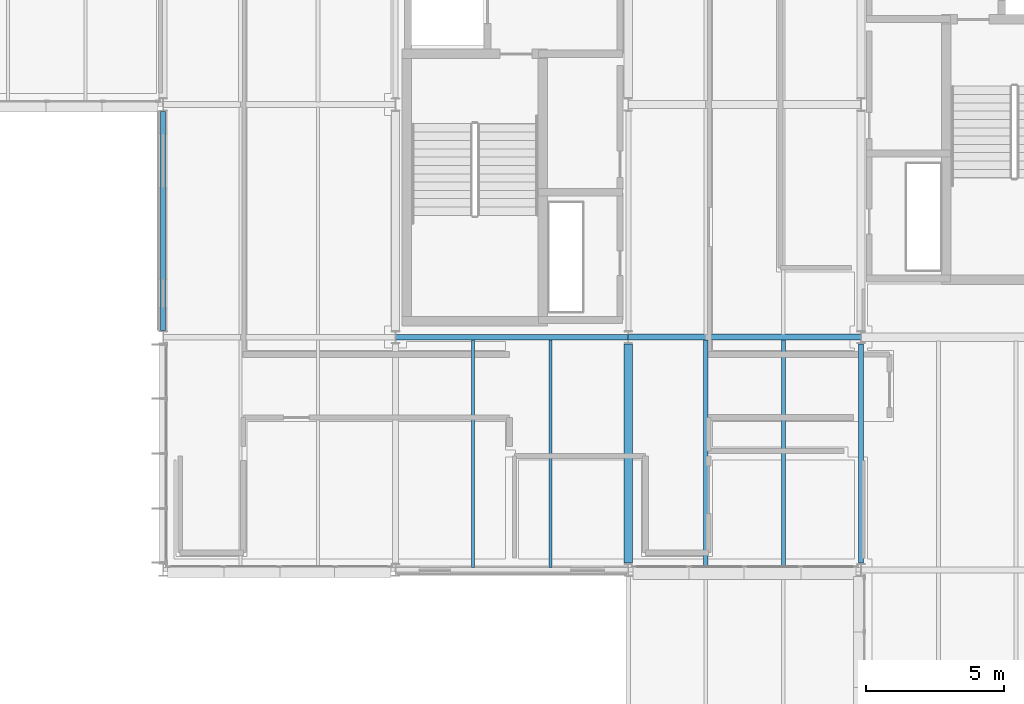
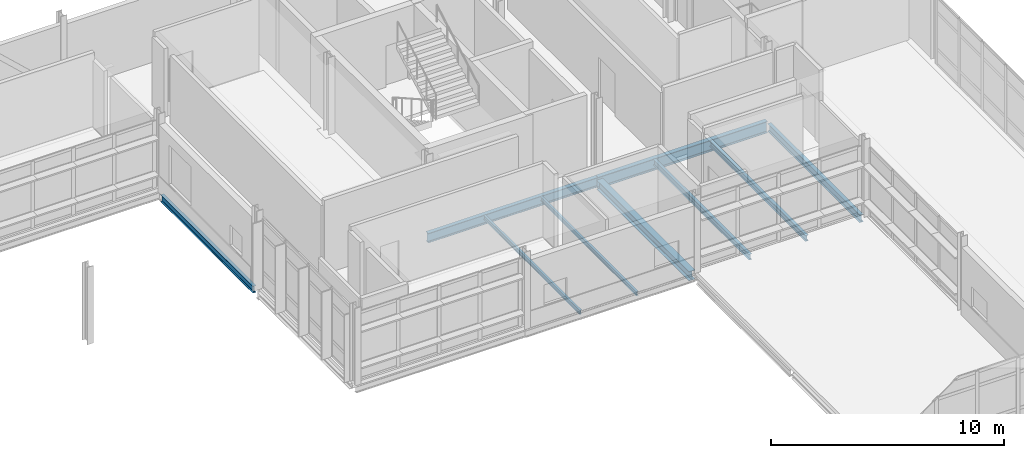
# One storey, part 69 of 103: 9 beams.
"""IFC4 building model written with IfcOpenShell, lengths in metres."""

from ifc_helpers import new_model, si_unit, direction, frame, origin, origin_2d, place, context, subcontext, project, spatial, i_section, extrude, material, material_profile, profile_set, type_object, element, save


model = new_model("IFC4")

# Units and contexts
model_context = context("Model", 3, precision=1e-05, world=origin(), true_north=direction((0.0, 1.0)))
body_context = subcontext(model_context, "Body", "Model", "MODEL_VIEW")
ifc_project = project(units=[si_unit("LENGTHUNIT", "METRE"), si_unit("AREAUNIT", "SQUARE_METRE"), si_unit("VOLUMEUNIT", "CUBIC_METRE"), si_unit("PLANEANGLEUNIT", "RADIAN"), si_unit("MASSUNIT", "GRAM", prefix="KILO")], contexts=[model_context])

# Site, building, storey
site_placement = place(None, origin())
site = spatial("IfcSite", under=ifc_project, at=site_placement, CompositionType="ELEMENT")
building_placement = place(site_placement, origin())
building = spatial("IfcBuilding", under=site, at=building_placement, Name="Mersafa Astral City Hall", CompositionType="ELEMENT")
storey_placement = place(building_placement, frame((0.0, 0.0, 18.0)))
storey = spatial("IfcBuildingStorey", under=building, at=storey_placement, Name="L04", CompositionType="ELEMENT", Elevation=18.0)

# Beams
ifc_material = material(Name="Steel S355", Category="steel")
ifc_material_profile_1 = material_profile(ifc_material, i_section(OverallWidth=0.300048828125, OverallDepth=0.489990234375, WebThickness=0.011962890625, FlangeThickness=0.02294921875, FilletRadius=0.027099609375, at=origin_2d()), Name="HEA 500")
ifc_profile_set_1 = profile_set([ifc_material_profile_1], Name="Steel S355")
beam_type_1 = type_object("IfcBeamType", Name="STR-BM-HEA500", PredefinedType="BEAM", material=ifc_profile_set_1)
beam_1_placement = place(storey_placement, frame((159.60009765625, 101.044921875, -0.429931640625), z_axis=(0.0, 1.0, 0.0), x_axis=(-1.0, 0.0, 0.0)))
element("IfcBeam", 1, at=beam_1_placement, inside=storey, type_object=beam_type_1, Name="L04 Primary girder Y 19-12", PredefinedType="BEAM", context=body_context, shape_type="SweptSolid", body=[
    extrude(i_section(OverallWidth=0.300048828125, OverallDepth=0.489990234375, WebThickness=0.011962890625, FlangeThickness=0.02294921875, FilletRadius=0.027099609375, at=origin_2d()), origin(), (0.0, 0.0, 1.0), 7.91015625),
])
ifc_material_profile_2 = material_profile(ifc_material, i_section(OverallWidth=0.179931640625, OverallDepth=0.39990234375, WebThickness=0.008544921875, FlangeThickness=0.013427734375, FilletRadius=0.02099609375, at=origin_2d()), Name="IPE 400")
ifc_profile_set_2 = profile_set([ifc_material_profile_2], Name="Steel S355")
beam_type_2 = type_object("IfcBeamType", Name="STR-BM-IPE400", PredefinedType="BEAM", material=ifc_profile_set_2)
beam_2_placement = place(storey_placement, frame((168.0, 101.044921875, -0.385009765625), z_axis=(0.0, 1.0, 0.0), x_axis=(-1.0, 0.0, 0.0)))
element("IfcBeam", 2, at=beam_2_placement, inside=storey, type_object=beam_type_2, Name="L04 Primary girder Y 20-12", PredefinedType="BEAM", context=body_context, shape_type="SweptSolid", body=[
    extrude(i_section(OverallWidth=0.179931640625, OverallDepth=0.39990234375, WebThickness=0.008544921875, FlangeThickness=0.013427734375, FilletRadius=0.02099609375, at=origin_2d()), origin(), (0.0, 0.0, 1.0), 7.91015625),
])
ifc_material_profile_3 = material_profile(ifc_material, i_section(OverallWidth=0.199951171875, OverallDepth=0.5, WebThickness=0.01025390625, FlangeThickness=0.01611328125, FilletRadius=0.02099609375, at=origin_2d()), Name="IPE 500")
ifc_profile_set_3 = profile_set([ifc_material_profile_3], Name="Steel S355")
beam_type_3 = type_object("IfcBeamType", Name="STR-BM-IPE500", PredefinedType="BEAM", material=ifc_profile_set_3)
beam_3_placement = place(storey_placement, frame((151.202880859375, 109.199951171875, -0.43505859375), z_axis=(1.0, 0.0, 0.0), x_axis=(0.0, 1.0, 0.0)))
element("IfcBeam", 3, at=beam_3_placement, inside=storey, type_object=beam_type_3, Name="L04 Primary girder X 18-13", PredefinedType="BEAM", context=body_context, shape_type="SweptSolid", body=[
    extrude(i_section(OverallWidth=0.199951171875, OverallDepth=0.5, WebThickness=0.01025390625, FlangeThickness=0.01611328125, FilletRadius=0.02099609375, at=origin_2d()), origin(), (0.0, 0.0, 1.0), 8.39404296875),
])
ifc_material_profile_4 = material_profile(ifc_material, i_section(OverallWidth=0.219970703125, OverallDepth=0.60009765625, WebThickness=0.011962890625, FlangeThickness=0.01904296875, FilletRadius=0.02392578125, at=origin_2d()), Name="IPE 600")
ifc_profile_set_4 = profile_set([ifc_material_profile_4], Name="Steel S355")
beam_type_4 = type_object("IfcBeamType", Name="STR-BM-IPE600", PredefinedType="BEAM", material=ifc_profile_set_4)
beam_4_placement = place(storey_placement, frame((159.60302734375, 109.199951171875, -0.485107421875), z_axis=(1.0, 0.0, 0.0), x_axis=(0.0, 1.0, 0.0)))
element("IfcBeam", 4, at=beam_4_placement, inside=storey, type_object=beam_type_4, Name="L04 Primary girder X 19-13", PredefinedType="BEAM", context=body_context, shape_type="SweptSolid", body=[
    extrude(i_section(OverallWidth=0.219970703125, OverallDepth=0.60009765625, WebThickness=0.011962890625, FlangeThickness=0.01904296875, FilletRadius=0.02392578125, at=origin_2d()), origin(), (0.0, 0.0, 1.0), 8.39404296875),
])
ifc_material_profile_5 = material_profile(ifc_material, i_section(OverallWidth=0.110107421875, OverallDepth=0.219970703125, WebThickness=0.005859375, FlangeThickness=0.00927734375, FilletRadius=0.011962890625, at=origin_2d()), Name="IPE 220")
ifc_profile_set_5 = profile_set([ifc_material_profile_5], Name="Steel S355")
beam_type_5 = type_object("IfcBeamType", Name="STR-BM-JOIST-IPE220", PredefinedType="JOIST", material=ifc_profile_set_5)
for number, where, z_axis, x_axis, name in (
    (5, (154.0, 100.8798828125, -0.294921875), (0.0, 1.0, 0.0), (-1.0, 0.0, 0.0), "L04 Composite secondary floor joist 758"),
    (6, (156.800048828125, 100.8798828125, -0.294921875), (0.0, 1.0, 0.0), (-1.0, 0.0, 0.0), "L04 Composite secondary floor joist 759"),
):
    element("IfcBeam", number, at=place(storey_placement, frame(where, z_axis=z_axis, x_axis=x_axis)), inside=storey, type_object=beam_type_5, Name=name, PredefinedType="JOIST", context=body_context, shape_type="SweptSolid", body=[
        extrude(i_section(OverallWidth=0.110107421875, OverallDepth=0.219970703125, WebThickness=0.005859375, FlangeThickness=0.00927734375, FilletRadius=0.011962890625, at=origin_2d()), origin(), (0.0, 0.0, 1.0), 8.22509765625),
    ])
ifc_material_profile_6 = material_profile(ifc_material, i_section(OverallWidth=0.14990234375, OverallDepth=0.300048828125, WebThickness=0.007080078125, FlangeThickness=0.0107421875, FilletRadius=0.014892578125, at=origin_2d()), Name="IPE 300")
ifc_profile_set_6 = profile_set([ifc_material_profile_6], Name="Steel S355")
beam_type_6 = type_object("IfcBeamType", Name="STR-BM-JOIST-IPE300", PredefinedType="JOIST", material=ifc_profile_set_6)
for number, where, z_axis, x_axis, name in (
    (7, (162.39990234375, 100.875, -0.3349609375), (0.0, 1.0, 0.0), (-1.0, 0.0, 0.0), "L04 Composite secondary floor joist 768"),
    (8, (165.199951171875, 100.875, -0.3349609375), (0.0, 1.0, 0.0), (-1.0, 0.0, 0.0), "L04 Composite secondary floor joist 769"),
):
    element("IfcBeam", number, at=place(storey_placement, frame(where, z_axis=z_axis, x_axis=x_axis)), inside=storey, type_object=beam_type_6, Name=name, PredefinedType="JOIST", context=body_context, shape_type="SweptSolid", body=[
        extrude(i_section(OverallWidth=0.14990234375, OverallDepth=0.300048828125, WebThickness=0.007080078125, FlangeThickness=0.0107421875, FilletRadius=0.014892578125, at=origin_2d()), origin(), (0.0, 0.0, 1.0), 8.219970703125),
    ])
ifc_material_profile_7 = material_profile(ifc_material, i_section(OverallWidth=0.169921875, OverallDepth=0.360107421875, WebThickness=0.008056640625, FlangeThickness=0.0126953125, FilletRadius=0.01806640625, at=origin_2d()), Name="IPE 360")
ifc_profile_set_7 = profile_set([ifc_material_profile_7], Name="Steel S355")
beam_type_7 = type_object("IfcBeamType", Name="STR-BM-SPANDREL-IPE360", PredefinedType="SPANDREL", material=ifc_profile_set_7)
beam_5_placement = place(storey_placement, frame((142.800048828125, 109.445068359375, -0.364990234375), z_axis=(0.0, 1.0, 0.0), x_axis=(-1.0, 0.0, 0.0)))
element("IfcBeam", 9, at=beam_5_placement, inside=storey, type_object=beam_type_7, Name="L04 Primary girder Y 17-13", PredefinedType="SPANDREL", context=body_context, shape_type="SweptSolid", body=[
    extrude(i_section(OverallWidth=0.169921875, OverallDepth=0.360107421875, WebThickness=0.008056640625, FlangeThickness=0.0126953125, FilletRadius=0.01806640625, at=origin_2d()), origin(), (0.0, 0.0, 1.0), 7.909912109375),
])

save(model, "model.ifc")
